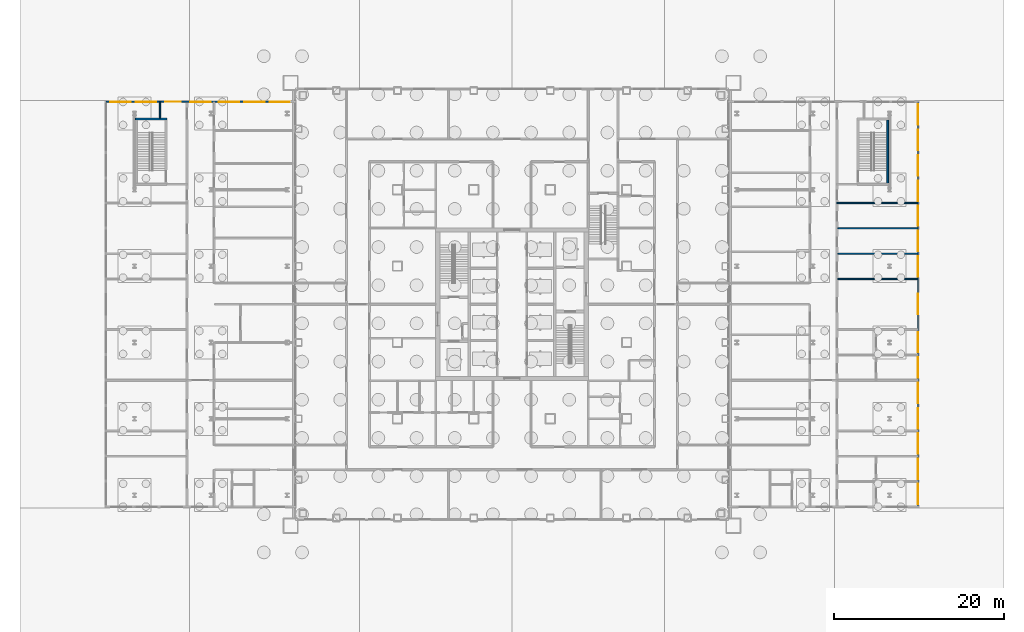
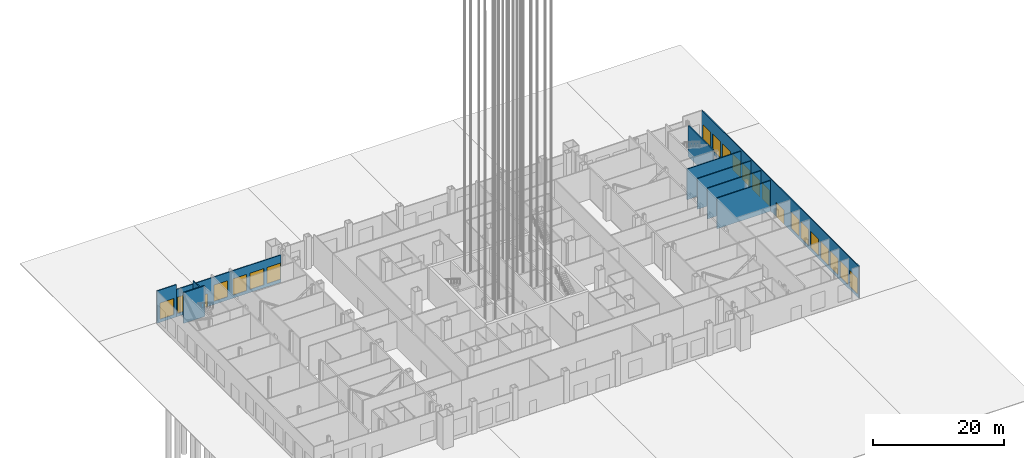
# One storey, part 12 of 36: 20 windows, 10 walls, 2 doors, 22 openings.
"""IFC4 building model written with IfcOpenShell, lengths in metres."""

from ifc_helpers import new_model, si_unit, direction, frame, frame_2d, origin, place, context, subcontext, project, spatial, rectangle, extrude, material, layer, layer_set, type_object, element, fill, save


model = new_model("IFC4")

# Units and contexts
model_context = context("Model", 3, precision=1e-05, world=origin(), true_north=direction((0.0, 1.0)))
body_context = subcontext(model_context, "Body", "Model", "MODEL_VIEW")
ifc_project = project(units=[si_unit("LENGTHUNIT", "METRE"), si_unit("AREAUNIT", "SQUARE_METRE"), si_unit("VOLUMEUNIT", "CUBIC_METRE"), si_unit("PLANEANGLEUNIT", "RADIAN"), si_unit("MASSUNIT", "GRAM", prefix="KILO")], contexts=[model_context])

# Site, building, storey
site_placement = place(None, origin())
site = spatial("IfcSite", under=ifc_project, at=site_placement, CompositionType="ELEMENT")
building_placement = place(site_placement, origin())
building = spatial("IfcBuilding", under=site, at=building_placement, Name="Malebo Sky Hospital", CompositionType="ELEMENT")
storey_placement = place(building_placement, origin())
storey = spatial("IfcBuildingStorey", under=building, at=storey_placement, Name="L00", CompositionType="ELEMENT", Elevation=0.0)

# Wall, openings, door, windows
ifc_material_1 = material(Name="Anodised aluminium, natural silver framed screen", Category="aluminium")
ifc_layer_1 = layer(ifc_material_1, 0.14990234375)
ifc_layer_set_1 = layer_set([ifc_layer_1], Name="GLAZED ENTRANCE SCREEN 150")
wall_type_1 = type_object("IfcWallType", Name="GLAZED ENTRANCE SCREEN 150", PredefinedType="STANDARD", material=ifc_layer_set_1)
wall_1_placement = place(storey_placement, frame((33.841064453125, 85.875, 0.0), z_axis=(0.0, 0.0, 1.0), x_axis=(-1.0, 0.0, 0.0)))
wall_1 = element("IfcWall", 1, at=wall_1_placement, inside=storey, type_object=wall_type_1, Name="Glazed entrance screen WN", PredefinedType="STANDARD", context=body_context, shape_type="SweptSolid", body=[
    extrude(rectangle(XDim=18.341064453125, YDim=0.14990234375, at=frame_2d((9.17041015625, 0.0))), origin(), (0.0, 0.0, 1.0), 5.10009765625),
])
opening_1_placement = place(wall_1_placement, frame((12.89111328125, 0.0, 0.0)))
opening_1 = element("IfcOpeningElement", 2, at=opening_1_placement, cuts=wall_1, Name="Opening D12", PredefinedType="OPENING", context=body_context, shape_type="SweptSolid", body=[
    extrude(rectangle(XDim=1.800048828125, YDim=2.39990234375, at=frame_2d((0.89990234375, 1.199951171875))), frame((0.0, 0.0849609375, 0.0), z_axis=(0.0, -1.0, 0.0), x_axis=(1.0, 0.0, 0.0)), (0.0, 0.0, 1.0), 0.169921875),
])
opening_2_placement = place(wall_1_placement, frame((0.0, 0.0, 0.60009765625)))
opening_2 = element("IfcOpeningElement", 3, at=opening_2_placement, cuts=wall_1, Name="Opening W01", PredefinedType="OPENING", context=body_context, shape_type="SweptSolid", body=[
    extrude(rectangle(XDim=2.39990234375, YDim=3.0, at=frame_2d((1.199951171875, 1.5))), frame((0.0, 0.0849609375, 0.0), z_axis=(0.0, -1.0, 0.0), x_axis=(1.0, 0.0, 0.0)), (0.0, 0.0, 1.0), 0.169921875),
])
opening_3_placement = place(wall_1_placement, frame((3.0, 0.0, 0.60009765625)))
opening_3 = element("IfcOpeningElement", 4, at=opening_3_placement, cuts=wall_1, Name="Opening W01", PredefinedType="OPENING", context=body_context, shape_type="SweptSolid", body=[
    extrude(rectangle(XDim=2.39990234375, YDim=3.0, at=frame_2d((1.199951171875, 1.5))), frame((0.0, 0.0849609375, 0.0), z_axis=(0.0, -1.0, 0.0), x_axis=(1.0, 0.0, 0.0)), (0.0, 0.0, 1.0), 0.169921875),
])
opening_4_placement = place(wall_1_placement, frame((6.0, 0.0, 0.60009765625)))
opening_4 = element("IfcOpeningElement", 5, at=opening_4_placement, cuts=wall_1, Name="Opening W01", PredefinedType="OPENING", context=body_context, shape_type="SweptSolid", body=[
    extrude(rectangle(XDim=2.39990234375, YDim=3.0, at=frame_2d((1.199951171875, 1.5))), frame((0.0, 0.0849609375, 0.0), z_axis=(0.0, -1.0, 0.0), x_axis=(1.0, 0.0, 0.0)), (0.0, 0.0, 1.0), 0.169921875),
])
opening_5_placement = place(wall_1_placement, frame((9.353515625, 0.0, 0.60009765625)))
opening_5 = element("IfcOpeningElement", 6, at=opening_5_placement, cuts=wall_1, Name="Opening W01", PredefinedType="OPENING", context=body_context, shape_type="SweptSolid", body=[
    extrude(rectangle(XDim=2.39990234375, YDim=3.0, at=frame_2d((1.199951171875, 1.5))), frame((0.0, 0.0849609375, 0.0), z_axis=(0.0, -1.0, 0.0), x_axis=(1.0, 0.0, 0.0)), (0.0, 0.0, 1.0), 0.169921875),
])
opening_6_placement = place(wall_1_placement, frame((15.7890625, 0.0, 0.60009765625)))
opening_6 = element("IfcOpeningElement", 7, at=opening_6_placement, cuts=wall_1, Name="Opening W01", PredefinedType="OPENING", context=body_context, shape_type="SweptSolid", body=[
    extrude(rectangle(XDim=2.39990234375, YDim=3.0, at=frame_2d((1.199951171875, 1.5))), frame((0.0, 0.0849609375, 0.0), z_axis=(0.0, -1.0, 0.0), x_axis=(1.0, 0.0, 0.0)), (0.0, 0.0, 1.0), 0.169921875),
])
ifc_material_2 = material(Name="Anodised aluminium, natural silver framed glazed door", Category="aluminium")
door_type_1 = type_object("IfcDoorType", Name="EXIT DOOR PAIR 1800", OperationType="DOUBLE_DOOR_SINGLE_SWING", PredefinedType="DOOR", material=ifc_material_2)
door_1_placement = place(opening_1_placement, frame((1.800048828125, 0.0, 0.0), z_axis=(0.0, 0.0, 1.0), x_axis=(-1.0, 0.0, 0.0)))
door_1 = element("IfcDoor", 8, at=door_1_placement, inside=storey, type_object=door_type_1, Name="West stair exit doors", OperationType="DOUBLE_DOOR_SINGLE_SWING", OverallHeight=2.39990234375, OverallWidth=1.800048828125, PredefinedType="DOOR", context=body_context, shape_type="SweptSolid", body=[
    extrude(rectangle(XDim=1.800048828125, YDim=2.39990234375, at=frame_2d((0.89990234375, 1.199951171875))), frame((0.0, 0.02490234375, 0.0), z_axis=(0.0, -1.0, 0.0), x_axis=(1.0, 0.0, 0.0)), (0.0, 0.0, 1.0), 0.050048828125),
])
fill(opening_1, door_1)
ifc_material_3 = material(Name="Clear low-iron double glazing", Category="glass")
window_type = type_object("IfcWindowType", Name="SCREEN GLAZING 2400x3000", PartitioningType="SINGLE_PANEL", PredefinedType="WINDOW", material=ifc_material_3)
window_1_placement = place(opening_2_placement, origin())
window_1 = element("IfcWindow", 9, at=window_1_placement, inside=storey, type_object=window_type, Name="Screen glazing 1", OverallHeight=3.0, OverallWidth=2.39990234375, PartitioningType="SINGLE_PANEL", PredefinedType="WINDOW", context=body_context, shape_type="SweptSolid", body=[
    extrude(rectangle(XDim=2.39990234375, YDim=3.0, at=frame_2d((1.199951171875, 1.5))), frame((0.0, 0.030029296875, 0.0), z_axis=(0.0, -1.0, 0.0), x_axis=(1.0, 0.0, 0.0)), (0.0, 0.0, 1.0), 0.06005859375),
])
fill(opening_2, window_1)
window_2_placement = place(opening_3_placement, origin())
window_2 = element("IfcWindow", 10, at=window_2_placement, inside=storey, type_object=window_type, Name="Screen glazing 2", OverallHeight=3.0, OverallWidth=2.39990234375, PartitioningType="SINGLE_PANEL", PredefinedType="WINDOW", context=body_context, shape_type="SweptSolid", body=[
    extrude(rectangle(XDim=2.39990234375, YDim=3.0, at=frame_2d((1.199951171875, 1.5))), frame((0.0, 0.030029296875, 0.0), z_axis=(0.0, -1.0, 0.0), x_axis=(1.0, 0.0, 0.0)), (0.0, 0.0, 1.0), 0.06005859375),
])
fill(opening_3, window_2)
window_3_placement = place(opening_4_placement, origin())
window_3 = element("IfcWindow", 11, at=window_3_placement, inside=storey, type_object=window_type, Name="Screen glazing 3", OverallHeight=3.0, OverallWidth=2.39990234375, PartitioningType="SINGLE_PANEL", PredefinedType="WINDOW", context=body_context, shape_type="SweptSolid", body=[
    extrude(rectangle(XDim=2.39990234375, YDim=3.0, at=frame_2d((1.199951171875, 1.5))), frame((0.0, 0.030029296875, 0.0), z_axis=(0.0, -1.0, 0.0), x_axis=(1.0, 0.0, 0.0)), (0.0, 0.0, 1.0), 0.06005859375),
])
fill(opening_4, window_3)
window_4_placement = place(opening_5_placement, origin())
window_4 = element("IfcWindow", 12, at=window_4_placement, inside=storey, type_object=window_type, Name="Screen glazing 4", OverallHeight=3.0, OverallWidth=2.39990234375, PartitioningType="SINGLE_PANEL", PredefinedType="WINDOW", context=body_context, shape_type="SweptSolid", body=[
    extrude(rectangle(XDim=2.39990234375, YDim=3.0, at=frame_2d((1.199951171875, 1.5))), frame((0.0, 0.030029296875, 0.0), z_axis=(0.0, -1.0, 0.0), x_axis=(1.0, 0.0, 0.0)), (0.0, 0.0, 1.0), 0.06005859375),
])
fill(opening_5, window_4)
window_5_placement = place(opening_6_placement, origin())
window_5 = element("IfcWindow", 13, at=window_5_placement, inside=storey, type_object=window_type, Name="Screen glazing 5", OverallHeight=3.0, OverallWidth=2.39990234375, PartitioningType="SINGLE_PANEL", PredefinedType="WINDOW", context=body_context, shape_type="SweptSolid", body=[
    extrude(rectangle(XDim=2.39990234375, YDim=3.0, at=frame_2d((1.199951171875, 1.5))), frame((0.0, 0.030029296875, 0.0), z_axis=(0.0, -1.0, 0.0), x_axis=(1.0, 0.0, 0.0)), (0.0, 0.0, 1.0), 0.06005859375),
])
fill(opening_6, window_5)

# Wall, opening, window
wall_2_placement = place(storey_placement, frame((15.5, 85.875, 0.0), z_axis=(0.0, 0.0, 1.0), x_axis=(-1.0, 0.0, 0.0)))
wall_2 = element("IfcWall", 14, at=wall_2_placement, inside=storey, type_object=wall_type_1, Name="Glazed entrance screen WN", PredefinedType="STANDARD", context=body_context, shape_type="SweptSolid", body=[
    extrude(rectangle(XDim=3.375, YDim=0.14990234375, at=frame_2d((1.6875, 0.0))), origin(), (0.0, 0.0, 1.0), 6.0),
])
opening_7_placement = place(wall_2_placement, frame((0.447998046875, 0.0, 0.60009765625)))
opening_7 = element("IfcOpeningElement", 15, at=opening_7_placement, cuts=wall_2, Name="Opening W01", PredefinedType="OPENING", context=body_context, shape_type="SweptSolid", body=[
    extrude(rectangle(XDim=2.39990234375, YDim=3.0, at=frame_2d((1.199951171875, 1.5))), frame((0.0, 0.0849609375, 0.0), z_axis=(0.0, -1.0, 0.0), x_axis=(1.0, 0.0, 0.0)), (0.0, 0.0, 1.0), 0.169921875),
])
window_6_placement = place(opening_7_placement, origin())
window_6 = element("IfcWindow", 16, at=window_6_placement, inside=storey, type_object=window_type, Name="Screen glazing 6", OverallHeight=3.0, OverallWidth=2.39990234375, PartitioningType="SINGLE_PANEL", PredefinedType="WINDOW", context=body_context, shape_type="SweptSolid", body=[
    extrude(rectangle(XDim=2.39990234375, YDim=3.0, at=frame_2d((1.199951171875, 1.5))), frame((0.0, 0.030029296875, 0.0), z_axis=(0.0, -1.0, 0.0), x_axis=(1.0, 0.0, 0.0)), (0.0, 0.0, 1.0), 0.06005859375),
])
fill(opening_7, window_6)

# Wall, openings, door, windows
wall_3_placement = place(storey_placement, frame((107.875, 38.125, 0.0), z_axis=(0.0, 0.0, 1.0), x_axis=(0.0, 1.0, 0.0)))
wall_3 = element("IfcWall", 17, at=wall_3_placement, inside=storey, type_object=wall_type_1, Name="Glazed entrance screen EE", PredefinedType="STANDARD", context=body_context, shape_type="SweptSolid", body=[
    extrude(rectangle(XDim=47.75, YDim=0.14990234375, at=frame_2d((23.875, 0.0))), origin(), (0.0, 0.0, 1.0), 6.0),
])
opening_8_placement = place(wall_3_placement, frame((22.699951171875, 0.0, 0.0)))
opening_8 = element("IfcOpeningElement", 18, at=opening_8_placement, cuts=wall_3, Name="Opening D10", PredefinedType="OPENING", context=body_context, shape_type="SweptSolid", body=[
    extrude(rectangle(XDim=2.39990234375, YDim=2.60009765625, at=frame_2d((1.199951171875, 1.300048828125))), frame((0.0, 0.0849609375, 0.0), z_axis=(0.0, -1.0, 0.0), x_axis=(1.0, 0.0, 0.0)), (0.0, 0.0, 1.0), 0.169921875),
])
opening_9_placement = place(wall_3_placement, frame((0.32958984375, 0.0, 0.60009765625)))
opening_9 = element("IfcOpeningElement", 19, at=opening_9_placement, cuts=wall_3, Name="Opening W01", PredefinedType="OPENING", context=body_context, shape_type="SweptSolid", body=[
    extrude(rectangle(XDim=2.39990234375, YDim=3.0, at=frame_2d((1.199951171875, 1.5))), frame((0.0, 0.0849609375, 0.0), z_axis=(0.0, -1.0, 0.0), x_axis=(1.0, 0.0, 0.0)), (0.0, 0.0, 1.0), 0.169921875),
])
opening_10_placement = place(wall_3_placement, frame((3.276611328125, 0.0, 0.60009765625)))
opening_10 = element("IfcOpeningElement", 20, at=opening_10_placement, cuts=wall_3, Name="Opening W01", PredefinedType="OPENING", context=body_context, shape_type="SweptSolid", body=[
    extrude(rectangle(XDim=2.39990234375, YDim=3.0, at=frame_2d((1.199951171875, 1.5))), frame((0.0, 0.0849609375, 0.0), z_axis=(0.0, -1.0, 0.0), x_axis=(1.0, 0.0, 0.0)), (0.0, 0.0, 1.0), 0.169921875),
])
opening_11_placement = place(wall_3_placement, frame((6.260986328125, 0.0, 0.60009765625)))
opening_11 = element("IfcOpeningElement", 21, at=opening_11_placement, cuts=wall_3, Name="Opening W01", PredefinedType="OPENING", context=body_context, shape_type="SweptSolid", body=[
    extrude(rectangle(XDim=2.39990234375, YDim=3.0, at=frame_2d((1.199951171875, 1.5))), frame((0.0, 0.0849609375, 0.0), z_axis=(0.0, -1.0, 0.0), x_axis=(1.0, 0.0, 0.0)), (0.0, 0.0, 1.0), 0.169921875),
])
opening_12_placement = place(wall_3_placement, frame((9.22509765625, 0.0, 0.60009765625)))
opening_12 = element("IfcOpeningElement", 22, at=opening_12_placement, cuts=wall_3, Name="Opening W01", PredefinedType="OPENING", context=body_context, shape_type="SweptSolid", body=[
    extrude(rectangle(XDim=2.39990234375, YDim=3.0, at=frame_2d((1.199951171875, 1.5))), frame((0.0, 0.0849609375, 0.0), z_axis=(0.0, -1.0, 0.0), x_axis=(1.0, 0.0, 0.0)), (0.0, 0.0, 1.0), 0.169921875),
])
opening_13_placement = place(wall_3_placement, frame((12.22509765625, 0.0, 0.60009765625)))
opening_13 = element("IfcOpeningElement", 23, at=opening_13_placement, cuts=wall_3, Name="Opening W01", PredefinedType="OPENING", context=body_context, shape_type="SweptSolid", body=[
    extrude(rectangle(XDim=2.39990234375, YDim=3.0, at=frame_2d((1.199951171875, 1.5))), frame((0.0, 0.0849609375, 0.0), z_axis=(0.0, -1.0, 0.0), x_axis=(1.0, 0.0, 0.0)), (0.0, 0.0, 1.0), 0.169921875),
])
opening_14_placement = place(wall_3_placement, frame((15.2265625, 0.0, 0.60009765625)))
opening_14 = element("IfcOpeningElement", 24, at=opening_14_placement, cuts=wall_3, Name="Opening W01", PredefinedType="OPENING", context=body_context, shape_type="SweptSolid", body=[
    extrude(rectangle(XDim=2.39990234375, YDim=3.0, at=frame_2d((1.199951171875, 1.5))), frame((0.0, 0.0849609375, 0.0), z_axis=(0.0, -1.0, 0.0), x_axis=(1.0, 0.0, 0.0)), (0.0, 0.0, 1.0), 0.169921875),
])
opening_15_placement = place(wall_3_placement, frame((18.198486328125, 0.0, 0.60009765625)))
opening_15 = element("IfcOpeningElement", 25, at=opening_15_placement, cuts=wall_3, Name="Opening W01", PredefinedType="OPENING", context=body_context, shape_type="SweptSolid", body=[
    extrude(rectangle(XDim=2.39990234375, YDim=3.0, at=frame_2d((1.199951171875, 1.5))), frame((0.0, 0.0849609375, 0.0), z_axis=(0.0, -1.0, 0.0), x_axis=(1.0, 0.0, 0.0)), (0.0, 0.0, 1.0), 0.169921875),
])
opening_16_placement = place(wall_3_placement, frame((27.151611328125, 0.0, 0.60009765625)))
opening_16 = element("IfcOpeningElement", 26, at=opening_16_placement, cuts=wall_3, Name="Opening W01", PredefinedType="OPENING", context=body_context, shape_type="SweptSolid", body=[
    extrude(rectangle(XDim=2.39990234375, YDim=3.0, at=frame_2d((1.199951171875, 1.5))), frame((0.0, 0.0849609375, 0.0), z_axis=(0.0, -1.0, 0.0), x_axis=(1.0, 0.0, 0.0)), (0.0, 0.0, 1.0), 0.169921875),
])
opening_17_placement = place(wall_3_placement, frame((30.135986328125, 0.0, 0.60009765625)))
opening_17 = element("IfcOpeningElement", 27, at=opening_17_placement, cuts=wall_3, Name="Opening W01", PredefinedType="OPENING", context=body_context, shape_type="SweptSolid", body=[
    extrude(rectangle(XDim=2.39990234375, YDim=3.0, at=frame_2d((1.199951171875, 1.5))), frame((0.0, 0.0849609375, 0.0), z_axis=(0.0, -1.0, 0.0), x_axis=(1.0, 0.0, 0.0)), (0.0, 0.0, 1.0), 0.169921875),
])
opening_18_placement = place(wall_3_placement, frame((33.120361328125, 0.0, 0.60009765625)))
opening_18 = element("IfcOpeningElement", 28, at=opening_18_placement, cuts=wall_3, Name="Opening W01", PredefinedType="OPENING", context=body_context, shape_type="SweptSolid", body=[
    extrude(rectangle(XDim=2.39990234375, YDim=3.0, at=frame_2d((1.199951171875, 1.5))), frame((0.0, 0.0849609375, 0.0), z_axis=(0.0, -1.0, 0.0), x_axis=(1.0, 0.0, 0.0)), (0.0, 0.0, 1.0), 0.169921875),
])
opening_19_placement = place(wall_3_placement, frame((36.043701171875, 0.0, 0.60009765625)))
opening_19 = element("IfcOpeningElement", 29, at=opening_19_placement, cuts=wall_3, Name="Opening W01", PredefinedType="OPENING", context=body_context, shape_type="SweptSolid", body=[
    extrude(rectangle(XDim=2.39990234375, YDim=3.0, at=frame_2d((1.199951171875, 1.5))), frame((0.0, 0.0849609375, 0.0), z_axis=(0.0, -1.0, 0.0), x_axis=(1.0, 0.0, 0.0)), (0.0, 0.0, 1.0), 0.169921875),
])
opening_20_placement = place(wall_3_placement, frame((39.043701171875, 0.0, 0.60009765625)))
opening_20 = element("IfcOpeningElement", 30, at=opening_20_placement, cuts=wall_3, Name="Opening W01", PredefinedType="OPENING", context=body_context, shape_type="SweptSolid", body=[
    extrude(rectangle(XDim=2.39990234375, YDim=3.0, at=frame_2d((1.199951171875, 1.5))), frame((0.0, 0.0849609375, 0.0), z_axis=(0.0, -1.0, 0.0), x_axis=(1.0, 0.0, 0.0)), (0.0, 0.0, 1.0), 0.169921875),
])
opening_21_placement = place(wall_3_placement, frame((42.043701171875, 0.0, 0.60009765625)))
opening_21 = element("IfcOpeningElement", 31, at=opening_21_placement, cuts=wall_3, Name="Opening W01", PredefinedType="OPENING", context=body_context, shape_type="SweptSolid", body=[
    extrude(rectangle(XDim=2.39990234375, YDim=3.0, at=frame_2d((1.199951171875, 1.5))), frame((0.0, 0.0849609375, 0.0), z_axis=(0.0, -1.0, 0.0), x_axis=(1.0, 0.0, 0.0)), (0.0, 0.0, 1.0), 0.169921875),
])
opening_22_placement = place(wall_3_placement, frame((45.043701171875, 0.0, 0.60009765625)))
opening_22 = element("IfcOpeningElement", 32, at=opening_22_placement, cuts=wall_3, Name="Opening W01", PredefinedType="OPENING", context=body_context, shape_type="SweptSolid", body=[
    extrude(rectangle(XDim=2.39990234375, YDim=3.0, at=frame_2d((1.199951171875, 1.5))), frame((0.0, 0.0849609375, 0.0), z_axis=(0.0, -1.0, 0.0), x_axis=(1.0, 0.0, 0.0)), (0.0, 0.0, 1.0), 0.169921875),
])
door_type_2 = type_object("IfcDoorType", Name="AUTOMATIC SLIDING ENTRANCE DOOR 2400", OperationType="DOUBLE_DOOR_SLIDING", PredefinedType="DOOR", material=ifc_material_2)
door_2_placement = place(opening_8_placement, origin())
door_2 = element("IfcDoor", 33, at=door_2_placement, inside=storey, type_object=door_type_2, Name="Outpatients entrance", OperationType="DOUBLE_DOOR_SLIDING", OverallHeight=2.60009765625, OverallWidth=2.39990234375, PredefinedType="DOOR", context=body_context, shape_type="SweptSolid", body=[
    extrude(rectangle(XDim=2.39990234375, YDim=2.60009765625, at=frame_2d((1.199951171875, 1.300048828125))), frame((0.0, 0.02490234375, 0.0), z_axis=(0.0, -1.0, 0.0), x_axis=(1.0, 0.0, 0.0)), (0.0, 0.0, 1.0), 0.050048828125),
])
fill(opening_8, door_2)
window_7_placement = place(opening_9_placement, origin())
window_7 = element("IfcWindow", 34, at=window_7_placement, inside=storey, type_object=window_type, Name="Screen glazing 1", OverallHeight=3.0, OverallWidth=2.39990234375, PartitioningType="SINGLE_PANEL", PredefinedType="WINDOW", context=body_context, shape_type="SweptSolid", body=[
    extrude(rectangle(XDim=2.39990234375, YDim=3.0, at=frame_2d((1.199951171875, 1.5))), frame((0.0, 0.030029296875, 0.0), z_axis=(0.0, -1.0, 0.0), x_axis=(1.0, 0.0, 0.0)), (0.0, 0.0, 1.0), 0.06005859375),
])
fill(opening_9, window_7)
window_8_placement = place(opening_10_placement, origin())
window_8 = element("IfcWindow", 35, at=window_8_placement, inside=storey, type_object=window_type, Name="Screen glazing 2", OverallHeight=3.0, OverallWidth=2.39990234375, PartitioningType="SINGLE_PANEL", PredefinedType="WINDOW", context=body_context, shape_type="SweptSolid", body=[
    extrude(rectangle(XDim=2.39990234375, YDim=3.0, at=frame_2d((1.199951171875, 1.5))), frame((0.0, 0.030029296875, 0.0), z_axis=(0.0, -1.0, 0.0), x_axis=(1.0, 0.0, 0.0)), (0.0, 0.0, 1.0), 0.06005859375),
])
fill(opening_10, window_8)
window_9_placement = place(opening_11_placement, origin())
window_9 = element("IfcWindow", 36, at=window_9_placement, inside=storey, type_object=window_type, Name="Screen glazing 3", OverallHeight=3.0, OverallWidth=2.39990234375, PartitioningType="SINGLE_PANEL", PredefinedType="WINDOW", context=body_context, shape_type="SweptSolid", body=[
    extrude(rectangle(XDim=2.39990234375, YDim=3.0, at=frame_2d((1.199951171875, 1.5))), frame((0.0, 0.030029296875, 0.0), z_axis=(0.0, -1.0, 0.0), x_axis=(1.0, 0.0, 0.0)), (0.0, 0.0, 1.0), 0.06005859375),
])
fill(opening_11, window_9)
window_10_placement = place(opening_12_placement, origin())
window_10 = element("IfcWindow", 37, at=window_10_placement, inside=storey, type_object=window_type, Name="Screen glazing 4", OverallHeight=3.0, OverallWidth=2.39990234375, PartitioningType="SINGLE_PANEL", PredefinedType="WINDOW", context=body_context, shape_type="SweptSolid", body=[
    extrude(rectangle(XDim=2.39990234375, YDim=3.0, at=frame_2d((1.199951171875, 1.5))), frame((0.0, 0.030029296875, 0.0), z_axis=(0.0, -1.0, 0.0), x_axis=(1.0, 0.0, 0.0)), (0.0, 0.0, 1.0), 0.06005859375),
])
fill(opening_12, window_10)
window_11_placement = place(opening_13_placement, origin())
window_11 = element("IfcWindow", 38, at=window_11_placement, inside=storey, type_object=window_type, Name="Screen glazing 5", OverallHeight=3.0, OverallWidth=2.39990234375, PartitioningType="SINGLE_PANEL", PredefinedType="WINDOW", context=body_context, shape_type="SweptSolid", body=[
    extrude(rectangle(XDim=2.39990234375, YDim=3.0, at=frame_2d((1.199951171875, 1.5))), frame((0.0, 0.030029296875, 0.0), z_axis=(0.0, -1.0, 0.0), x_axis=(1.0, 0.0, 0.0)), (0.0, 0.0, 1.0), 0.06005859375),
])
fill(opening_13, window_11)
window_12_placement = place(opening_14_placement, origin())
window_12 = element("IfcWindow", 39, at=window_12_placement, inside=storey, type_object=window_type, Name="Screen glazing 6", OverallHeight=3.0, OverallWidth=2.39990234375, PartitioningType="SINGLE_PANEL", PredefinedType="WINDOW", context=body_context, shape_type="SweptSolid", body=[
    extrude(rectangle(XDim=2.39990234375, YDim=3.0, at=frame_2d((1.199951171875, 1.5))), frame((0.0, 0.030029296875, 0.0), z_axis=(0.0, -1.0, 0.0), x_axis=(1.0, 0.0, 0.0)), (0.0, 0.0, 1.0), 0.06005859375),
])
fill(opening_14, window_12)
window_13_placement = place(opening_15_placement, origin())
window_13 = element("IfcWindow", 40, at=window_13_placement, inside=storey, type_object=window_type, Name="Screen glazing 7", OverallHeight=3.0, OverallWidth=2.39990234375, PartitioningType="SINGLE_PANEL", PredefinedType="WINDOW", context=body_context, shape_type="SweptSolid", body=[
    extrude(rectangle(XDim=2.39990234375, YDim=3.0, at=frame_2d((1.199951171875, 1.5))), frame((0.0, 0.030029296875, 0.0), z_axis=(0.0, -1.0, 0.0), x_axis=(1.0, 0.0, 0.0)), (0.0, 0.0, 1.0), 0.06005859375),
])
fill(opening_15, window_13)
window_14_placement = place(opening_16_placement, origin())
window_14 = element("IfcWindow", 41, at=window_14_placement, inside=storey, type_object=window_type, Name="Screen glazing 8", OverallHeight=3.0, OverallWidth=2.39990234375, PartitioningType="SINGLE_PANEL", PredefinedType="WINDOW", context=body_context, shape_type="SweptSolid", body=[
    extrude(rectangle(XDim=2.39990234375, YDim=3.0, at=frame_2d((1.199951171875, 1.5))), frame((0.0, 0.030029296875, 0.0), z_axis=(0.0, -1.0, 0.0), x_axis=(1.0, 0.0, 0.0)), (0.0, 0.0, 1.0), 0.06005859375),
])
fill(opening_16, window_14)
window_15_placement = place(opening_17_placement, origin())
window_15 = element("IfcWindow", 42, at=window_15_placement, inside=storey, type_object=window_type, Name="Screen glazing 9", OverallHeight=3.0, OverallWidth=2.39990234375, PartitioningType="SINGLE_PANEL", PredefinedType="WINDOW", context=body_context, shape_type="SweptSolid", body=[
    extrude(rectangle(XDim=2.39990234375, YDim=3.0, at=frame_2d((1.199951171875, 1.5))), frame((0.0, 0.030029296875, 0.0), z_axis=(0.0, -1.0, 0.0), x_axis=(1.0, 0.0, 0.0)), (0.0, 0.0, 1.0), 0.06005859375),
])
fill(opening_17, window_15)
window_16_placement = place(opening_18_placement, origin())
window_16 = element("IfcWindow", 43, at=window_16_placement, inside=storey, type_object=window_type, Name="Screen glazing 10", OverallHeight=3.0, OverallWidth=2.39990234375, PartitioningType="SINGLE_PANEL", PredefinedType="WINDOW", context=body_context, shape_type="SweptSolid", body=[
    extrude(rectangle(XDim=2.39990234375, YDim=3.0, at=frame_2d((1.199951171875, 1.5))), frame((0.0, 0.030029296875, 0.0), z_axis=(0.0, -1.0, 0.0), x_axis=(1.0, 0.0, 0.0)), (0.0, 0.0, 1.0), 0.06005859375),
])
fill(opening_18, window_16)
window_17_placement = place(opening_19_placement, origin())
window_17 = element("IfcWindow", 44, at=window_17_placement, inside=storey, type_object=window_type, Name="Screen glazing 11", OverallHeight=3.0, OverallWidth=2.39990234375, PartitioningType="SINGLE_PANEL", PredefinedType="WINDOW", context=body_context, shape_type="SweptSolid", body=[
    extrude(rectangle(XDim=2.39990234375, YDim=3.0, at=frame_2d((1.199951171875, 1.5))), frame((0.0, 0.030029296875, 0.0), z_axis=(0.0, -1.0, 0.0), x_axis=(1.0, 0.0, 0.0)), (0.0, 0.0, 1.0), 0.06005859375),
])
fill(opening_19, window_17)
window_18_placement = place(opening_20_placement, origin())
window_18 = element("IfcWindow", 45, at=window_18_placement, inside=storey, type_object=window_type, Name="Screen glazing 12", OverallHeight=3.0, OverallWidth=2.39990234375, PartitioningType="SINGLE_PANEL", PredefinedType="WINDOW", context=body_context, shape_type="SweptSolid", body=[
    extrude(rectangle(XDim=2.39990234375, YDim=3.0, at=frame_2d((1.199951171875, 1.5))), frame((0.0, 0.030029296875, 0.0), z_axis=(0.0, -1.0, 0.0), x_axis=(1.0, 0.0, 0.0)), (0.0, 0.0, 1.0), 0.06005859375),
])
fill(opening_20, window_18)
window_19_placement = place(opening_21_placement, origin())
window_19 = element("IfcWindow", 46, at=window_19_placement, inside=storey, type_object=window_type, Name="Screen glazing 13", OverallHeight=3.0, OverallWidth=2.39990234375, PartitioningType="SINGLE_PANEL", PredefinedType="WINDOW", context=body_context, shape_type="SweptSolid", body=[
    extrude(rectangle(XDim=2.39990234375, YDim=3.0, at=frame_2d((1.199951171875, 1.5))), frame((0.0, 0.030029296875, 0.0), z_axis=(0.0, -1.0, 0.0), x_axis=(1.0, 0.0, 0.0)), (0.0, 0.0, 1.0), 0.06005859375),
])
fill(opening_21, window_19)
window_20_placement = place(opening_22_placement, origin())
window_20 = element("IfcWindow", 47, at=window_20_placement, inside=storey, type_object=window_type, Name="Screen glazing 14", OverallHeight=3.0, OverallWidth=2.39990234375, PartitioningType="SINGLE_PANEL", PredefinedType="WINDOW", context=body_context, shape_type="SweptSolid", body=[
    extrude(rectangle(XDim=2.39990234375, YDim=3.0, at=frame_2d((1.199951171875, 1.5))), frame((0.0, 0.030029296875, 0.0), z_axis=(0.0, -1.0, 0.0), x_axis=(1.0, 0.0, 0.0)), (0.0, 0.0, 1.0), 0.06005859375),
])
fill(opening_22, window_20)

# Walls
ifc_material_4 = material(Name="Gypsum board on steel studs", Category="steel")
ifc_layer_2 = layer(ifc_material_4, 0.14990234375)
ifc_layer_set_2 = layer_set([ifc_layer_2], Name="PARTITION 150")
wall_type_2 = type_object("IfcWallType", Name="PARTITION 150", PredefinedType="PARTITIONING", material=ifc_layer_set_2)
wall_4_placement = place(storey_placement, frame((18.50390625, 83.949951171875, 0.0), z_axis=(0.0, 0.0, 1.0), x_axis=(0.0, 1.0, 0.0)))
element("IfcWall", 48, at=wall_4_placement, inside=storey, type_object=wall_type_2, Name="Partition 150 WLW", PredefinedType="PARTITIONING", context=body_context, shape_type="SweptSolid", body=[
    extrude(rectangle(XDim=1.900146484375, YDim=0.14990234375, at=frame_2d((0.9501953125, 0.0))), origin(), (0.0, 0.0, 1.0), 5.699951171875),
])
wall_5_placement = place(storey_placement, frame((107.85009765625, 73.9375, 0.0), z_axis=(0.0, 0.0, 1.0), x_axis=(-1.0, 0.0, 0.0)))
element("IfcWall", 49, at=wall_5_placement, inside=storey, type_object=wall_type_2, Name="Partition 150 ESP", PredefinedType="PARTITIONING", context=body_context, shape_type="SweptSolid", body=[
    extrude(rectangle(XDim=9.543212890625, YDim=0.14990234375, at=frame_2d((4.771484375, 0.0))), origin(), (0.0, 0.0, 1.0), 5.699951171875),
])
for number, where, z_axis, x_axis, name in (
    (50, (107.85009765625, 64.984375, 0.0), (0.0, 0.0, 1.0), (-1.0, 0.0, 0.0), "Partition 150 EOH06"),
    (51, (107.85009765625, 67.96875, 0.0), (0.0, 0.0, 1.0), (-1.0, 0.0, 0.0), "Partition 150 EOH07"),
    (52, (107.85009765625, 70.953125, 0.0), (0.0, 0.0, 1.0), (-1.0, 0.0, 0.0), "Partition 150 EOH08"),
):
    element("IfcWall", number, at=place(storey_placement, frame(where, z_axis=z_axis, x_axis=x_axis)), inside=storey, type_object=wall_type_2, Name=name, PredefinedType="PARTITIONING", context=body_context, shape_type="SweptSolid", body=[
        extrude(rectangle(XDim=9.443115234375, YDim=0.14990234375, at=frame_2d((4.7216796875, 0.0))), origin(), (0.0, 0.0, 1.0), 5.699951171875),
    ])
ifc_material_5 = material(Name="Concrete C40/50", Category="concrete")
ifc_layer_3 = layer(ifc_material_5, 0.199951171875)
ifc_layer_set_3 = layer_set([ifc_layer_3], Name="STAIR ENCLOSURE WALL 200")
wall_type_3 = type_object("IfcWallType", Name="STAIR ENCLOSURE WALL 200", PredefinedType="SOLIDWALL", material=ifc_layer_set_3)
wall_6_placement = place(storey_placement, frame((15.60009765625, 83.85009765625, 0.0), z_axis=(0.0, 0.0, 1.0), x_axis=(1.0, 0.0, 0.0)))
element("IfcWall", 53, at=wall_6_placement, inside=storey, type_object=wall_type_3, Name="Stair Enclosure Wall 200 WSN", PredefinedType="SOLIDWALL", context=body_context, shape_type="SweptSolid", body=[
    extrude(rectangle(XDim=3.699951171875, YDim=0.199951171875, at=frame_2d((1.85009765625, 0.0))), origin(), (0.0, 0.0, 1.0), 5.699951171875),
])
wall_7_placement = place(storey_placement, frame((104.300048828125, 76.25, 0.0), z_axis=(0.0, 0.0, 1.0), x_axis=(0.0, 1.0, 0.0)))
element("IfcWall", 54, at=wall_7_placement, inside=storey, type_object=wall_type_3, Name="Stair Enclosure Wall 200 ESE", PredefinedType="SOLIDWALL", context=body_context, shape_type="SweptSolid", body=[
    extrude(rectangle(XDim=7.5, YDim=0.199951171875, at=frame_2d((3.75, 0.0))), origin(), (0.0, 0.0, 1.0), 5.699951171875),
])

save(model, "model.ifc")
